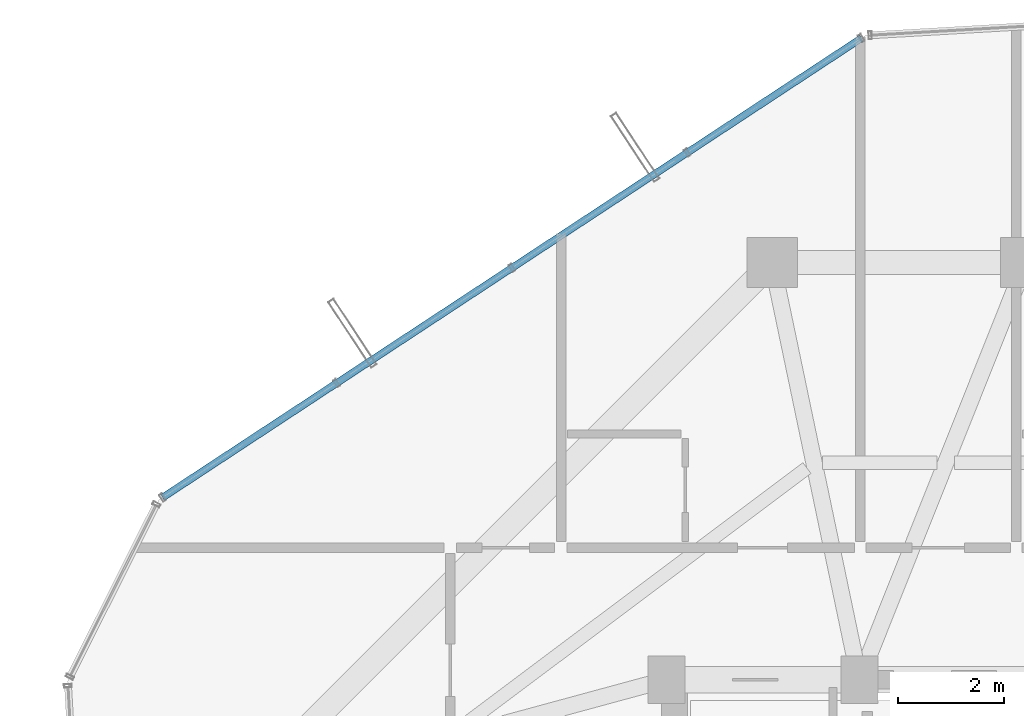
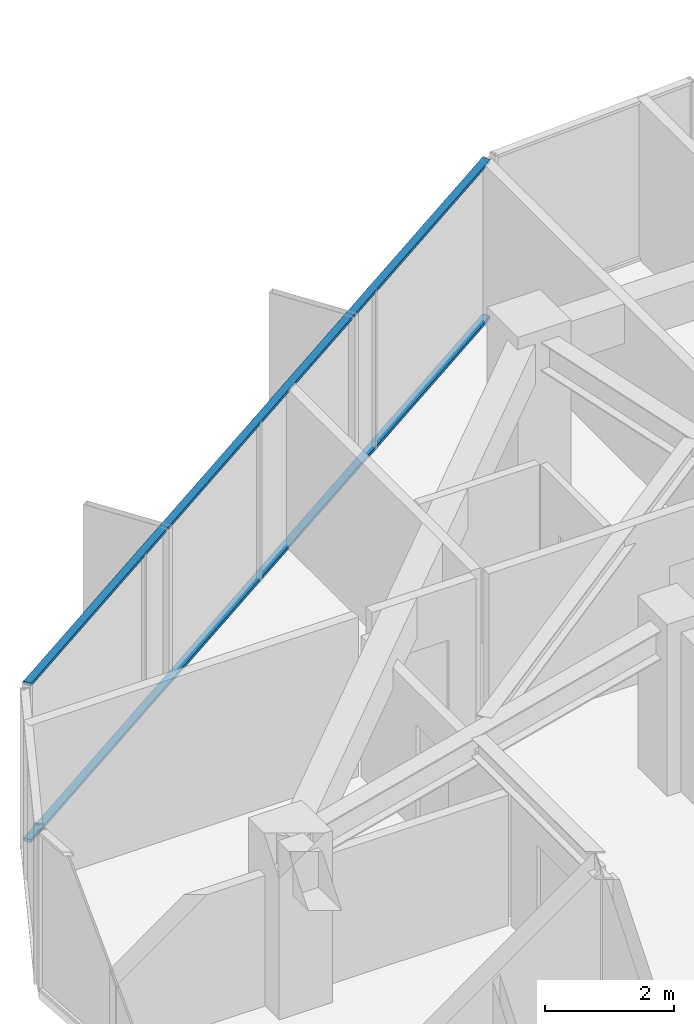
# One storey, part 23 of 33: 2 members, 1 element without a shape of its own.
"""IFC4 building model written with IfcOpenShell, lengths in metres."""

import ifcopenshell
import ifcopenshell.guid

model = None  # the IFC model being written
_history = None  # IfcOwnerHistory: only IFC2X3 demands one
_inside = {}  # id of a spatial element -> (the spatial element, [elements in it])
_under = {}  # id of a project, library or spatial element -> (it, [spatial elements below it])
_declared = {}  # id of a project -> (the project, [libraries it declares])
_typed = {}  # id of a type object -> (the type object, [elements of that type])
_made_of = {}  # id of a material, layer set ... -> (it, [elements and type objects made of it])


def new_model(schema):
    """Start an empty IFC model of exactly this schema.

    Asked for "IFC4X3", IfcOpenShell would pick the latest addendum, in which some entities
    have other attributes; the version numbers below select the first issue.
    IFC2X3 requires an IfcOwnerHistory on every rooted entity: one is made here for all.
    """
    global model, _history
    if schema == "IFC4X3":
        model = ifcopenshell.file(schema_version=(4, 3, 0, 0))
    else:
        model = ifcopenshell.file(schema=schema)
    _inside.clear()
    _under.clear()
    _declared.clear()
    _typed.clear()
    _made_of.clear()
    _history = None
    if model.schema == "IFC2X3":
        org = make("IfcOrganization", Name="unknown")
        user = make(
            "IfcPersonAndOrganization",
            ThePerson=make("IfcPerson", FamilyName="unknown"),
            TheOrganization=org,
        )
        app = make(
            "IfcApplication",
            ApplicationDeveloper=org,
            Version="unknown",
            ApplicationFullName="unknown",
            ApplicationIdentifier="unknown",
        )
        _history = make(
            "IfcOwnerHistory",
            OwningUser=user,
            OwningApplication=app,
            ChangeAction="ADDED",
            CreationDate=0,
        )
    return model


def make(cls, **values):
    """One entity of the class cls with the attributes given. An attribute that is None is left unset."""
    return model.create_entity(
        cls, **{name: value for name, value in values.items() if value is not None}
    )


def rooted(cls, **values):
    """An entity with a GlobalId (a new one), such as an element, a storey or a relation."""
    return make(cls, GlobalId=ifcopenshell.guid.new(), OwnerHistory=_history, **values)


def si_unit(unit_type, name, prefix=None):
    """IfcSIUnit, for example si_unit("LENGTHUNIT", "METRE", prefix="MILLI")."""
    return make("IfcSIUnit", UnitType=unit_type, Prefix=prefix, Name=name)


def assignment(units):
    """IfcUnitAssignment: the units of a project."""
    return None if units is None else make("IfcUnitAssignment", Units=units)


def point(xyz):
    """IfcCartesianPoint."""
    return None if xyz is None else make("IfcCartesianPoint", Coordinates=xyz)


def direction(xyz):
    """IfcDirection."""
    return None if xyz is None else make("IfcDirection", DirectionRatios=xyz)


def frame(location, z_axis=None, x_axis=None):
    """IfcAxis2Placement3D, a coordinate frame: its origin and axes. An axis left out is left unset."""
    return make(
        "IfcAxis2Placement3D",
        Location=point(location),
        Axis=direction(z_axis),
        RefDirection=direction(x_axis),
    )


def frame_2d(location, x_axis=None):
    """IfcAxis2Placement2D, a coordinate frame in the plane: its origin and x axis."""
    return make(
        "IfcAxis2Placement2D", Location=point(location), RefDirection=direction(x_axis)
    )


def origin():
    """The frame at (0, 0, 0) with its axes left unset."""
    return frame((0.0, 0.0, 0.0))


def origin_2d():
    """The frame at (0, 0) in the plane with its x axis left unset."""
    return frame_2d((0.0, 0.0))


def place(relative_to, where):
    """IfcLocalPlacement: puts the frame where relative to a parent placement (None: the world)."""
    return make(
        "IfcLocalPlacement", PlacementRelTo=relative_to, RelativePlacement=where
    )


def context(
    kind, dimensions, precision=None, world=None, true_north=None, identifier=None
):
    """IfcGeometricRepresentationContext, for example the 3D "Model" context."""
    return make(
        "IfcGeometricRepresentationContext",
        ContextIdentifier=identifier,
        ContextType=kind,
        CoordinateSpaceDimension=dimensions,
        Precision=precision,
        WorldCoordinateSystem=world,
        TrueNorth=true_north,
    )


def subcontext(parent, identifier, kind, view, scale=None):
    """IfcGeometricRepresentationSubContext, for example "Body" below "Model"."""
    return make(
        "IfcGeometricRepresentationSubContext",
        ContextIdentifier=identifier,
        ContextType=kind,
        ParentContext=parent,
        TargetScale=scale,
        TargetView=view,
    )


def project(units=None, contexts=None):
    """IfcProject with its units and contexts."""
    return rooted(
        "IfcProject",
        Name="project",
        RepresentationContexts=contexts,
        UnitsInContext=assignment(units),
    )


def spatial(cls, under=None, at=None, **own):
    """A site, building, storey or space (cls), placed at a placement, below another one or the project."""
    s = rooted(cls, ObjectPlacement=at, **own)
    if under is not None:
        _under.setdefault(under.id(), (under, []))[1].append(s)
    return s


def profile(cls, at=None, kind="AREA", **sizes):
    """A parametric profile (cls). Its sizes go by their IFC names, for example OverallWidth=200.0."""
    return make(cls, ProfileType=kind, Position=at, **sizes)


def hollow_rectangle(**sizes):
    """IfcRectangleHollowProfileDef."""
    return profile("IfcRectangleHollowProfileDef", **sizes)


def extrude(swept, where, along, depth):
    """IfcExtrudedAreaSolid: the profile swept, set in the frame where, extruded along a direction by depth."""
    return make(
        "IfcExtrudedAreaSolid",
        SweptArea=swept,
        Position=where,
        ExtrudedDirection=direction(along),
        Depth=depth,
    )


def shape(context_of_items, identifier, shape_type, items):
    """IfcShapeRepresentation: the items that make up one representation, for example the "Body"."""
    return make(
        "IfcShapeRepresentation",
        ContextOfItems=context_of_items,
        RepresentationIdentifier=identifier,
        RepresentationType=shape_type,
        Items=items,
    )


def source(mapping_origin, context_of_items, identifier, shape_type, items):
    """IfcRepresentationMap: a shape defined once, which mapped items show again and again."""
    return make(
        "IfcRepresentationMap",
        MappingOrigin=mapping_origin,
        MappedRepresentation=shape(context_of_items, identifier, shape_type, items),
    )


def transform(
    local_origin,
    x_axis=None,
    y_axis=None,
    z_axis=None,
    scale=None,
    scale2=None,
    scale3=None,
    uniform=True,
):
    """IfcCartesianTransformationOperator3D, or its non-uniform kind. x_axis, y_axis, z_axis: its Axis1, 2, 3."""
    if uniform:
        return make(
            "IfcCartesianTransformationOperator3D",
            Axis1=direction(x_axis),
            Axis2=direction(y_axis),
            LocalOrigin=point(local_origin),
            Scale=scale,
            Axis3=direction(z_axis),
        )
    return make(
        "IfcCartesianTransformationOperator3DnonUniform",
        Axis1=direction(x_axis),
        Axis2=direction(y_axis),
        LocalOrigin=point(local_origin),
        Scale=scale,
        Axis3=direction(z_axis),
        Scale2=scale2,
        Scale3=scale3,
    )


def mapped(mapping_source, mapping_target):
    """IfcMappedItem: shows the shape of a source again, moved by a transform."""
    return make(
        "IfcMappedItem", MappingSource=mapping_source, MappingTarget=mapping_target
    )


def material(Name=None, Category=None):
    """IfcMaterial."""
    return make("IfcMaterial", Name=Name, Category=Category)


def layer(
    of_material, thickness, ventilated=None, Name=None, Category=None, Priority=None
):
    """IfcMaterialLayer: one layer of a wall or slab, of a material (None: an air gap)."""
    return make(
        "IfcMaterialLayer",
        Material=of_material,
        LayerThickness=thickness,
        IsVentilated=ventilated,
        Name=Name,
        Category=Category,
        Priority=Priority,
    )


def layer_set(layers, Name=None):
    """IfcMaterialLayerSet."""
    return make("IfcMaterialLayerSet", MaterialLayers=layers, LayerSetName=Name)


def material_profile(
    of_material, cross_section, Name=None, Category=None, Priority=None
):
    """IfcMaterialProfile: a cross section and its material."""
    return make(
        "IfcMaterialProfile",
        Name=Name,
        Material=of_material,
        Profile=cross_section,
        Priority=Priority,
        Category=Category,
    )


def profile_set(profiles, Name=None, composite=None):
    """IfcMaterialProfileSet."""
    return make(
        "IfcMaterialProfileSet",
        Name=Name,
        MaterialProfiles=profiles,
        CompositeProfile=composite,
    )


def made_of(thing, what):
    """Note that an element or type object is made of a material, layer set ...; save() writes the relation."""
    if what is not None:
        _made_of.setdefault(what.id(), (what, []))[1].append(thing)
    return thing


def type_object(cls, material=None, **own):
    """A type object (cls), such as IfcWallType, which elements share."""
    return made_of(rooted(cls, **own), material)


def element(
    cls,
    number,
    at=None,
    inside=None,
    cuts=None,
    type_object=None,
    material=None,
    context=None,
    identifier="Body",
    shape_type=None,
    held_by="IfcProductDefinitionShape",
    body=None,
    shapes=None,
    **own,
):
    """One element of the class cls, such as IfcWall. Its Tag is "e" and its number.

    at: its placement. inside: the storey or other place that contains it. cuts: it is an
    opening in that element (IfcRelVoidsElement). A single representation is given by context,
    identifier, shape_type and body (its items); several are given by shapes. held_by: the class
    of the entity that holds the representations. save() writes the other relations.
    """
    e = rooted(cls, Tag="e%d" % number, ObjectPlacement=at, **own)
    if body is not None:
        shapes = [shape(context, identifier, shape_type, body)]
    if shapes is not None:
        e.Representation = make(held_by, Representations=shapes)
    if inside is not None:
        _inside.setdefault(inside.id(), (inside, []))[1].append(e)
    if cuts is not None:
        rooted(
            "IfcRelVoidsElement", RelatingBuildingElement=cuts, RelatedOpeningElement=e
        )
    if type_object is not None:
        _typed.setdefault(type_object.id(), (type_object, []))[1].append(e)
    return made_of(e, material)


def aggregate(whole, parts):
    """IfcRelAggregates: a whole, such as a stair, and the parts it consists of."""
    return rooted("IfcRelAggregates", RelatingObject=whole, RelatedObjects=parts)


def save(model, path):
    """Write the relations noted so far, then the file.

    IfcRelAggregates (storeys below a building ...), IfcRelContainedInSpatialStructure (elements
    in a storey), IfcRelDefinesByType, IfcRelAssociatesMaterial and IfcRelDeclares: one each for
    every whole, place, type object, material and project.
    """
    for whole, parts in _under.values():
        aggregate(whole, parts)
    for where, things in _inside.values():
        rooted(
            "IfcRelContainedInSpatialStructure",
            RelatedElements=things,
            RelatingStructure=where,
        )
    for kind, things in _typed.values():
        rooted("IfcRelDefinesByType", RelatedObjects=things, RelatingType=kind)
    for what, things in _made_of.values():
        rooted("IfcRelAssociatesMaterial", RelatedObjects=things, RelatingMaterial=what)
    for by, libraries in _declared.values():
        rooted("IfcRelDeclares", RelatingContext=by, RelatedDefinitions=libraries)
    model.write(path)


model = new_model("IFC4")

# Units and contexts
model_context = context("Model", 3, precision=1e-05, world=origin(), true_north=direction((0.0, 1.0)))
body_context = subcontext(model_context, "Body", "Model", "MODEL_VIEW")
ifc_project = project(units=[si_unit("LENGTHUNIT", "METRE"), si_unit("AREAUNIT", "SQUARE_METRE"), si_unit("VOLUMEUNIT", "CUBIC_METRE"), si_unit("PLANEANGLEUNIT", "RADIAN"), si_unit("MASSUNIT", "GRAM", prefix="KILO")], contexts=[model_context])

# Site, building, storey
site_placement = place(None, origin())
site = spatial("IfcSite", under=ifc_project, at=site_placement, CompositionType="ELEMENT")
building_placement = place(site_placement, origin())
building = spatial("IfcBuilding", under=site, at=building_placement, Name="Veraguas Prism Commons", CompositionType="ELEMENT")
storey_placement = place(building_placement, frame((0.0, 0.0, 195.10009765625)))
storey = spatial("IfcBuildingStorey", under=building, at=storey_placement, Name="L55", CompositionType="ELEMENT", Elevation=195.10009765625)

# Curtain wall, members
ifc_material = material(Name="Anodised aluminium EN AW-6063 T6", Category="aluminium")
ifc_layer = layer(ifc_material, 0.14990234375, Name="Unitised Flush Curtain Wall Zone 3", Category="aluminium")
ifc_layer_set = layer_set([ifc_layer], Name="Anodised aluminium EN AW-6063 T6")
curtain_wall_type = type_object("IfcCurtainWallType", Name="Unitised Flush Curtain Wall Zone 3", PredefinedType="NOTDEFINED", material=ifc_layer_set)
curtain_wall_placement = place(storey_placement, origin())
curtain_wall = element("IfcCurtainWall", 1, at=curtain_wall_placement, inside=storey, type_object=curtain_wall_type, Name="Tower Facade Curtain Wall L55-F2", PredefinedType="NOTDEFINED")
ifc_material_profile = material_profile(ifc_material, hollow_rectangle(XDim=0.054931640625, YDim=0.135009765625, WallThickness=0.0029296875, at=origin_2d()), Name="AL55X135X3")
ifc_profile_set = profile_set([ifc_material_profile], Name="Anodised aluminium EN AW-6063 T6")
member_type = type_object("IfcMemberType", Name="Curtain Wall Transom Standard AL 55x135x3", PredefinedType="USERDEFINED", material=ifc_profile_set)
shared_shape = source(origin(), body_context, "Body", "SweptSolid", [
    extrude(hollow_rectangle(XDim=0.054931640625, YDim=0.135009765625, WallThickness=0.0029296875, at=origin_2d()), origin(), (0.0, 0.0, 1.0), 15.842529296875),
])
member_1_placement = place(storey_placement, frame((20.890625, 43.150146484375, 0.02734375), z_axis=(-0.835619991277, -0.549307955685, 0.0), x_axis=(0.0, 0.0, 1.0)))
member_1 = element("IfcMember", 2, at=member_1_placement, type_object=member_type, Name="CW-Z3 Transom 1", ObjectType="TRANSOM", PredefinedType="USERDEFINED", context=body_context, shape_type="MappedRepresentation", body=[
    mapped(shared_shape, transform((0.0, 0.0, 0.0), scale=1.0)),
])
member_2_placement = place(storey_placement, frame((20.890625, 43.150146484375, 2.9873046875), z_axis=(-0.835619991277, -0.549307955685, 0.0), x_axis=(0.0, 0.0, 1.0)))
member_2 = element("IfcMember", 3, at=member_2_placement, type_object=member_type, Name="CW-Z3 Transom 2", ObjectType="TRANSOM", PredefinedType="USERDEFINED", context=body_context, shape_type="MappedRepresentation", body=[
    mapped(shared_shape, transform((0.0, 0.0, 0.0), scale=1.0)),
])
aggregate(curtain_wall, [member_1, member_2])

save(model, "model.ifc")
